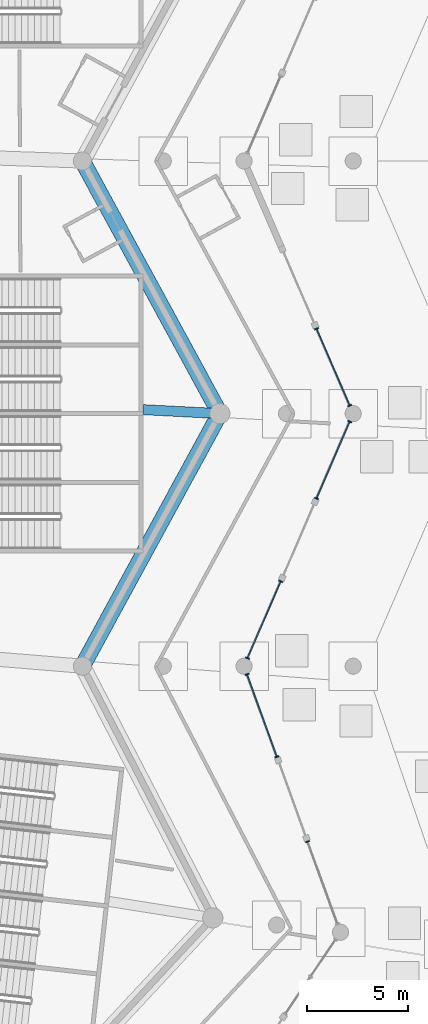
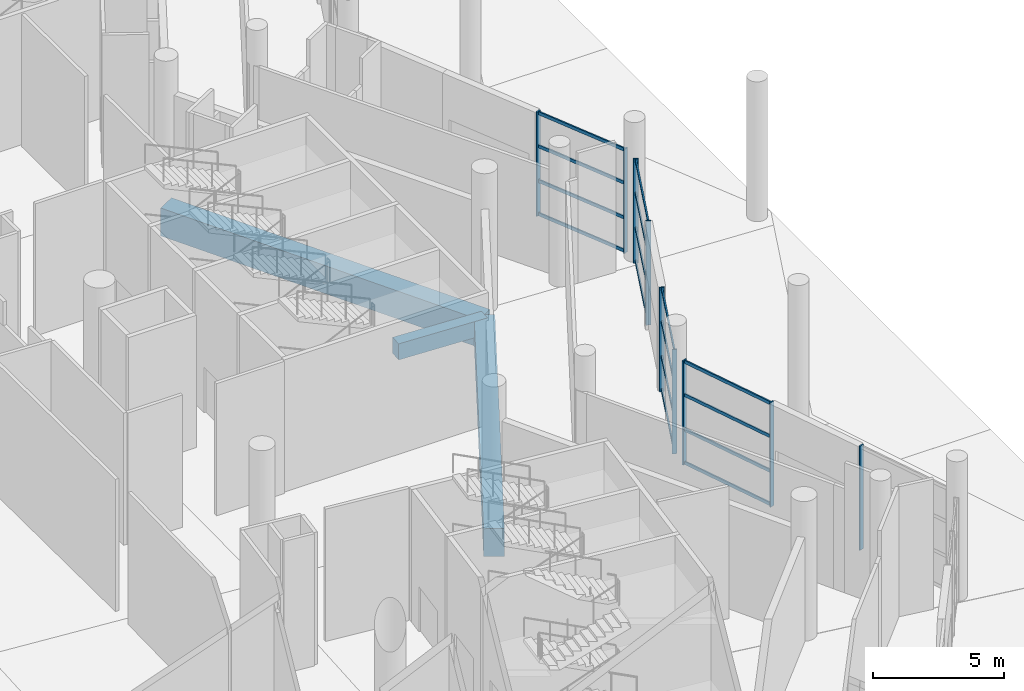
# One storey, part 39 of 255: 25 members, 3 beams, 5 elements without a shape of their own.
"""IFC4 building model written with IfcOpenShell, lengths in metres."""

from ifc_helpers import new_model, si_unit, direction, frame, origin, origin_2d, place, context, subcontext, project, spatial, rectangle, extrude, material, layer, layer_set, material_profile, profile_set, type_object, element, aggregate, save


model = new_model("IFC4")

# Units and contexts
model_context = context("Model", 3, precision=1e-05, world=origin(), true_north=direction((0.0, 1.0)))
body_context = subcontext(model_context, "Body", "Model", "MODEL_VIEW")
ifc_project = project(units=[si_unit("LENGTHUNIT", "METRE"), si_unit("AREAUNIT", "SQUARE_METRE"), si_unit("VOLUMEUNIT", "CUBIC_METRE"), si_unit("PLANEANGLEUNIT", "RADIAN"), si_unit("MASSUNIT", "GRAM", prefix="KILO")], contexts=[model_context])

# Site, building, storey
site_placement = place(None, origin())
site = spatial("IfcSite", under=ifc_project, at=site_placement, CompositionType="ELEMENT")
building_placement = place(site_placement, origin())
building = spatial("IfcBuilding", under=site, at=building_placement, Name="Meseta Stadium", CompositionType="ELEMENT")
storey_placement = place(building_placement, origin())
storey = spatial("IfcBuildingStorey", under=building, at=storey_placement, Name="L00", CompositionType="ELEMENT", Elevation=0.0)

# Beams
ifc_material_1 = material(Name="Concrete C40/50", Category="concrete")
ifc_material_profile_1 = material_profile(ifc_material_1, rectangle(XDim=0.5, YDim=0.75, at=origin_2d()), Name="RC 500x750")
ifc_profile_set_1 = profile_set([ifc_material_profile_1], Name="Concrete C40/50")
beam_type_1 = type_object("IfcBeamType", Name="RC beam 500x750", PredefinedType="BEAM", material=ifc_profile_set_1)
beam_placement = place(storey_placement, frame((97.60009765625, -31.0546875, -0.77490234375), z_axis=(0.998681597522, -0.05133290144, 0.0), x_axis=(0.05133290144, 0.998681597522, 0.0)))
element("IfcBeam", 1, at=beam_placement, inside=storey, type_object=beam_type_1, Name="L00 radial beam frame 2 line P to R", PredefinedType="BEAM", context=body_context, shape_type="SweptSolid", body=[
    extrude(rectangle(XDim=0.5, YDim=0.75, at=origin_2d()), origin(), (0.0, 0.0, 1.0), 3.804931640625),
])
ifc_material_2 = material(Name="Concrete C40/50", Category="concrete")
ifc_material_profile_2 = material_profile(ifc_material_2, rectangle(XDim=0.800048828125, YDim=1.300048828125, at=origin_2d()), Name="RC 800x1300")
ifc_profile_set_2 = profile_set([ifc_material_profile_2], Name="Concrete C40/50")
beam_type_2 = type_object("IfcBeamType", Name="RC beam 800x1300", PredefinedType="BEAM", material=ifc_profile_set_2)
for number, where, z_axis, x_axis, name in (
    (2, (94.60009765625, -43.75, -1.050048828125), (0.47785649891, 0.878437912689, 0.0), (-0.878437912689, 0.47785649891, 0.0), "L00 ring beam frame 1 line R"),
    (3, (101.39990234375, -31.25, -1.050048828125), (-0.47785649891, 0.878437912689, 0.0), (-0.878437912689, -0.47785649891, 0.0), "L00 ring beam frame 2 line R"),
):
    element("IfcBeam", number, at=place(storey_placement, frame(where, z_axis=z_axis, x_axis=x_axis)), inside=storey, type_object=beam_type_2, Name=name, PredefinedType="BEAM", context=body_context, shape_type="SweptSolid", body=[
        extrude(rectangle(XDim=0.800048828125, YDim=1.300048828125, at=origin_2d()), origin(), (0.0, 0.0, 1.0), 14.229736328125),
    ])

# Curtain wall, member
ifc_material_3 = material(Name="Aluminium", Category="aluminium")
ifc_layer = layer(ifc_material_3, 0.199951171875)
ifc_layer_set = layer_set([ifc_layer], Name="Ring shopfront curtain wall")
curtain_wall_type = type_object("IfcCurtainWallType", Name="Ring shopfront curtain wall", PredefinedType="NOTDEFINED", material=ifc_layer_set)
curtain_wall_1_placement = place(storey_placement, origin())
curtain_wall_1 = element("IfcCurtainWall", 4, at=curtain_wall_1_placement, inside=storey, type_object=curtain_wall_type, Name="Shopfront glazing F00a", PredefinedType="NOTDEFINED")
ifc_material_4 = material(Name="Aluminium", Category="aluminium")
ifc_material_profile_3 = material_profile(ifc_material_4, rectangle(XDim=0.199951171875, YDim=0.06005859375, at=origin_2d()), Name="CW 200x60")
ifc_profile_set_3 = profile_set([ifc_material_profile_3], Name="Aluminium")
member_type_1 = type_object("IfcMemberType", Name="Ring CW mullion 60x200", PredefinedType="MULLION", material=ifc_profile_set_3)
member_1_placement = place(storey_placement, frame((105.74609375, -52.428955078125, 0.0), z_axis=(0.0, 0.0, 1.0), x_axis=(-0.940135883188, -0.340799825619, 0.0)))
member_1 = element("IfcMember", 5, at=member_1_placement, type_object=member_type_1, Name="CWR1 mullion 2", PredefinedType="MULLION", context=body_context, shape_type="SweptSolid", body=[
    extrude(rectangle(XDim=0.199951171875, YDim=0.06005859375, at=origin_2d()), origin(), (0.0, 0.0, 1.0), 4.85009765625),
])
aggregate(curtain_wall_1, [member_1])

# Curtain wall, members
curtain_wall_2_placement = place(storey_placement, origin())
curtain_wall_2 = element("IfcCurtainWall", 6, at=curtain_wall_2_placement, inside=storey, type_object=curtain_wall_type, Name="Shopfront glazing F00b", PredefinedType="NOTDEFINED")
member_2_placement = place(storey_placement, frame((104.22607421875, -48.236083984375, 0.0), z_axis=(0.0, 0.0, 1.0), x_axis=(-0.940133244479, -0.340807104716, 0.0)))
member_2 = element("IfcMember", 7, at=member_2_placement, type_object=member_type_1, Name="CWR1 mullion 1", PredefinedType="MULLION", context=body_context, shape_type="SweptSolid", body=[
    extrude(rectangle(XDim=0.199951171875, YDim=0.06005859375, at=origin_2d()), origin(), (0.0, 0.0, 1.0), 4.85009765625),
])
member_3_placement = place(storey_placement, frame((102.74658203125, -44.154296875, 0.0), z_axis=(0.0, 0.0, 1.0), x_axis=(-0.940133244479, -0.340807104716, 0.0)))
member_3 = element("IfcMember", 8, at=member_3_placement, type_object=member_type_1, Name="CWR1 mullion 2", PredefinedType="MULLION", context=body_context, shape_type="SweptSolid", body=[
    extrude(rectangle(XDim=0.199951171875, YDim=0.06005859375, at=origin_2d()), origin(), (0.0, 0.0, 1.0), 4.85009765625),
])

curtain_wall_3_placement = place(storey_placement, origin())
curtain_wall_3 = element("IfcCurtainWall", 9, at=curtain_wall_3_placement, inside=storey, type_object=curtain_wall_type, Name="Shopfront glazing F01a", PredefinedType="NOTDEFINED")
member_4_placement = place(storey_placement, frame((102.7705078125, -43.355224609375, 0.0), z_axis=(0.0, 0.0, 1.0), x_axis=(-0.918001803218, 0.396576208678, 0.0)))
member_4 = element("IfcMember", 10, at=member_4_placement, type_object=member_type_1, Name="CWR1 mullion 1", PredefinedType="MULLION", context=body_context, shape_type="SweptSolid", body=[
    extrude(rectangle(XDim=0.199951171875, YDim=0.06005859375, at=origin_2d()), origin(), (0.0, 0.0, 1.0), 4.85009765625),
])
member_5_placement = place(storey_placement, frame((104.41552734375, -39.547119140625, 0.0), z_axis=(0.0, 0.0, 1.0), x_axis=(-0.918001803218, 0.396576208678, 0.0)))
member_5 = element("IfcMember", 11, at=member_5_placement, type_object=member_type_1, Name="CWR1 mullion 2", PredefinedType="MULLION", context=body_context, shape_type="SweptSolid", body=[
    extrude(rectangle(XDim=0.199951171875, YDim=0.06005859375, at=origin_2d()), origin(), (0.0, 0.0, 1.0), 4.85009765625),
])

curtain_wall_4_placement = place(storey_placement, origin())
curtain_wall_4 = element("IfcCurtainWall", 12, at=curtain_wall_4_placement, inside=storey, type_object=curtain_wall_type, Name="Shopfront glazing F01b", PredefinedType="NOTDEFINED")
member_6_placement = place(storey_placement, frame((106.184326171875, -35.452880859375, 0.0), z_axis=(0.0, 0.0, 1.0), x_axis=(-0.918001803218, 0.396576208678, 0.0)))
member_6 = element("IfcMember", 13, at=member_6_placement, type_object=member_type_1, Name="CWR1 mullion 1", PredefinedType="MULLION", context=body_context, shape_type="SweptSolid", body=[
    extrude(rectangle(XDim=0.199951171875, YDim=0.06005859375, at=origin_2d()), origin(), (0.0, 0.0, 1.0), 4.85009765625),
])
member_7_placement = place(storey_placement, frame((107.82958984375, -31.644775390625, 0.0), z_axis=(0.0, 0.0, 1.0), x_axis=(-0.918001803218, 0.396576208678, 0.0)))
member_7 = element("IfcMember", 14, at=member_7_placement, type_object=member_type_1, Name="CWR1 mullion 2", PredefinedType="MULLION", context=body_context, shape_type="SweptSolid", body=[
    extrude(rectangle(XDim=0.199951171875, YDim=0.06005859375, at=origin_2d()), origin(), (0.0, 0.0, 1.0), 4.85009765625),
])

curtain_wall_5_placement = place(storey_placement, origin())
curtain_wall_5 = element("IfcCurtainWall", 15, at=curtain_wall_5_placement, inside=storey, type_object=curtain_wall_type, Name="Shopfront glazing F02a", PredefinedType="NOTDEFINED")
member_8_placement = place(storey_placement, frame((107.82958984375, -30.855224609375, 0.0), z_axis=(0.0, 0.0, 1.0), x_axis=(-0.918001803218, -0.396576208678, 0.0)))
member_8 = element("IfcMember", 16, at=member_8_placement, type_object=member_type_1, Name="CWR1 mullion 1", PredefinedType="MULLION", context=body_context, shape_type="SweptSolid", body=[
    extrude(rectangle(XDim=0.199951171875, YDim=0.06005859375, at=origin_2d()), origin(), (0.0, 0.0, 1.0), 4.85009765625),
])
member_9_placement = place(storey_placement, frame((106.184326171875, -27.047119140625, 0.0), z_axis=(0.0, 0.0, 1.0), x_axis=(-0.918001803218, -0.396576208678, 0.0)))
member_9 = element("IfcMember", 17, at=member_9_placement, type_object=member_type_1, Name="CWR1 mullion 2", PredefinedType="MULLION", context=body_context, shape_type="SweptSolid", body=[
    extrude(rectangle(XDim=0.199951171875, YDim=0.06005859375, at=origin_2d()), origin(), (0.0, 0.0, 1.0), 4.85009765625),
])

# Member
ifc_material_5 = material(Name="Aluminium", Category="aluminium")
ifc_material_profile_4 = material_profile(ifc_material_5, rectangle(XDim=0.06005859375, YDim=0.14990234375, at=origin_2d()), Name="CW 60x150")
ifc_profile_set_4 = profile_set([ifc_material_profile_4], Name="Aluminium")
member_type_2 = type_object("IfcMemberType", Name="Ring CW transom 60x150", PredefinedType="USERDEFINED", material=ifc_profile_set_4)
member_10_placement = place(storey_placement, frame((104.216064453125, -48.207763671875, 0.074951171875), z_axis=(-0.340822633305, 0.940127615075, 0.0), x_axis=(-0.940127615075, -0.340822633305, 0.0)))
member_10 = element("IfcMember", 18, at=member_10_placement, type_object=member_type_2, Name="CWR1 transom 1.1", ObjectType="TRANSOM", PredefinedType="USERDEFINED", context=body_context, shape_type="SweptSolid", body=[
    extrude(rectangle(XDim=0.06005859375, YDim=0.14990234375, at=origin_2d()), origin(), (0.0, 0.0, 1.0), 4.281494140625),
])

member_11_placement = place(storey_placement, frame((104.216064453125, -48.207763671875, 1.61669921875), z_axis=(-0.340822633305, 0.940127615075, 0.0), x_axis=(-0.940127615075, -0.340822633305, 0.0)))
member_11 = element("IfcMember", 19, at=member_11_placement, type_object=member_type_2, Name="CWR1 transom 1.2", ObjectType="TRANSOM", PredefinedType="USERDEFINED", context=body_context, shape_type="SweptSolid", body=[
    extrude(rectangle(XDim=0.06005859375, YDim=0.14990234375, at=origin_2d()), origin(), (0.0, 0.0, 1.0), 4.281494140625),
])

member_12_placement = place(storey_placement, frame((104.216064453125, -48.207763671875, 3.2333984375), z_axis=(-0.340822633305, 0.940127615075, 0.0), x_axis=(-0.940127615075, -0.340822633305, 0.0)))
member_12 = element("IfcMember", 20, at=member_12_placement, type_object=member_type_2, Name="CWR1 transom 1.3", ObjectType="TRANSOM", PredefinedType="USERDEFINED", context=body_context, shape_type="SweptSolid", body=[
    extrude(rectangle(XDim=0.06005859375, YDim=0.14990234375, at=origin_2d()), origin(), (0.0, 0.0, 1.0), 4.281494140625),
])

member_13_placement = place(storey_placement, frame((104.216064453125, -48.207763671875, 4.77490234375), z_axis=(-0.340822633305, 0.940127615075, 0.0), x_axis=(-0.940127615075, -0.340822633305, 0.0)))
member_13 = element("IfcMember", 21, at=member_13_placement, type_object=member_type_2, Name="CWR1 transom 1.4", ObjectType="TRANSOM", PredefinedType="USERDEFINED", context=body_context, shape_type="SweptSolid", body=[
    extrude(rectangle(XDim=0.06005859375, YDim=0.14990234375, at=origin_2d()), origin(), (0.0, 0.0, 1.0), 4.281494140625),
])

aggregate(curtain_wall_2, [member_2, member_3, member_10, member_11, member_12, member_13])

member_14_placement = place(storey_placement, frame((102.782470703125, -43.32763671875, 0.074951171875), z_axis=(0.396591585893, 0.917995160118, 0.0), x_axis=(-0.917995160118, 0.396591585893, 0.0)))
member_14 = element("IfcMember", 22, at=member_14_placement, type_object=member_type_2, Name="CWR1 transom 1.1", ObjectType="TRANSOM", PredefinedType="USERDEFINED", context=body_context, shape_type="SweptSolid", body=[
    extrude(rectangle(XDim=0.06005859375, YDim=0.14990234375, at=origin_2d()), origin(), (0.0, 0.0, 1.0), 4.088134765625),
])

member_15_placement = place(storey_placement, frame((102.782470703125, -43.32763671875, 1.61669921875), z_axis=(0.396591585893, 0.917995160118, 0.0), x_axis=(-0.917995160118, 0.396591585893, 0.0)))
member_15 = element("IfcMember", 23, at=member_15_placement, type_object=member_type_2, Name="CWR1 transom 1.2", ObjectType="TRANSOM", PredefinedType="USERDEFINED", context=body_context, shape_type="SweptSolid", body=[
    extrude(rectangle(XDim=0.06005859375, YDim=0.14990234375, at=origin_2d()), origin(), (0.0, 0.0, 1.0), 4.088134765625),
])

member_16_placement = place(storey_placement, frame((102.782470703125, -43.32763671875, 3.2333984375), z_axis=(0.396591585893, 0.917995160118, 0.0), x_axis=(-0.917995160118, 0.396591585893, 0.0)))
member_16 = element("IfcMember", 24, at=member_16_placement, type_object=member_type_2, Name="CWR1 transom 1.3", ObjectType="TRANSOM", PredefinedType="USERDEFINED", context=body_context, shape_type="SweptSolid", body=[
    extrude(rectangle(XDim=0.06005859375, YDim=0.14990234375, at=origin_2d()), origin(), (0.0, 0.0, 1.0), 4.088134765625),
])

member_17_placement = place(storey_placement, frame((102.782470703125, -43.32763671875, 4.77490234375), z_axis=(0.396591585893, 0.917995160118, 0.0), x_axis=(-0.917995160118, 0.396591585893, 0.0)))
member_17 = element("IfcMember", 25, at=member_17_placement, type_object=member_type_2, Name="CWR1 transom 1.4", ObjectType="TRANSOM", PredefinedType="USERDEFINED", context=body_context, shape_type="SweptSolid", body=[
    extrude(rectangle(XDim=0.06005859375, YDim=0.14990234375, at=origin_2d()), origin(), (0.0, 0.0, 1.0), 4.088134765625),
])

aggregate(curtain_wall_3, [member_4, member_5, member_14, member_15, member_16, member_17])

member_18_placement = place(storey_placement, frame((106.1962890625, -35.42529296875, 0.074951171875), z_axis=(0.396591585893, 0.917995160118, 0.0), x_axis=(-0.917995160118, 0.396591585893, 0.0)))
member_18 = element("IfcMember", 26, at=member_18_placement, type_object=member_type_2, Name="CWR1 transom 1.1", ObjectType="TRANSOM", PredefinedType="USERDEFINED", context=body_context, shape_type="SweptSolid", body=[
    extrude(rectangle(XDim=0.06005859375, YDim=0.14990234375, at=origin_2d()), origin(), (0.0, 0.0, 1.0), 4.088134765625),
])

member_19_placement = place(storey_placement, frame((106.1962890625, -35.42529296875, 1.61669921875), z_axis=(0.396591585893, 0.917995160118, 0.0), x_axis=(-0.917995160118, 0.396591585893, 0.0)))
member_19 = element("IfcMember", 27, at=member_19_placement, type_object=member_type_2, Name="CWR1 transom 1.2", ObjectType="TRANSOM", PredefinedType="USERDEFINED", context=body_context, shape_type="SweptSolid", body=[
    extrude(rectangle(XDim=0.06005859375, YDim=0.14990234375, at=origin_2d()), origin(), (0.0, 0.0, 1.0), 4.088134765625),
])

member_20_placement = place(storey_placement, frame((106.1962890625, -35.42529296875, 3.2333984375), z_axis=(0.396591585893, 0.917995160118, 0.0), x_axis=(-0.917995160118, 0.396591585893, 0.0)))
member_20 = element("IfcMember", 28, at=member_20_placement, type_object=member_type_2, Name="CWR1 transom 1.3", ObjectType="TRANSOM", PredefinedType="USERDEFINED", context=body_context, shape_type="SweptSolid", body=[
    extrude(rectangle(XDim=0.06005859375, YDim=0.14990234375, at=origin_2d()), origin(), (0.0, 0.0, 1.0), 4.088134765625),
])

member_21_placement = place(storey_placement, frame((106.1962890625, -35.42529296875, 4.77490234375), z_axis=(0.396591585893, 0.917995160118, 0.0), x_axis=(-0.917995160118, 0.396591585893, 0.0)))
member_21 = element("IfcMember", 29, at=member_21_placement, type_object=member_type_2, Name="CWR1 transom 1.4", ObjectType="TRANSOM", PredefinedType="USERDEFINED", context=body_context, shape_type="SweptSolid", body=[
    extrude(rectangle(XDim=0.06005859375, YDim=0.14990234375, at=origin_2d()), origin(), (0.0, 0.0, 1.0), 4.088134765625),
])

aggregate(curtain_wall_4, [member_6, member_7, member_18, member_19, member_20, member_21])

member_22_placement = place(storey_placement, frame((107.817626953125, -30.82763671875, 0.074951171875), z_axis=(-0.396591585893, 0.917995160118, 0.0), x_axis=(-0.917995160118, -0.396591585893, 0.0)))
member_22 = element("IfcMember", 30, at=member_22_placement, type_object=member_type_2, Name="CWR1 transom 1.1", ObjectType="TRANSOM", PredefinedType="USERDEFINED", context=body_context, shape_type="SweptSolid", body=[
    extrude(rectangle(XDim=0.06005859375, YDim=0.14990234375, at=origin_2d()), origin(), (0.0, 0.0, 1.0), 4.088134765625),
])

member_23_placement = place(storey_placement, frame((107.817626953125, -30.82763671875, 1.61669921875), z_axis=(-0.396591585893, 0.917995160118, 0.0), x_axis=(-0.917995160118, -0.396591585893, 0.0)))
member_23 = element("IfcMember", 31, at=member_23_placement, type_object=member_type_2, Name="CWR1 transom 1.2", ObjectType="TRANSOM", PredefinedType="USERDEFINED", context=body_context, shape_type="SweptSolid", body=[
    extrude(rectangle(XDim=0.06005859375, YDim=0.14990234375, at=origin_2d()), origin(), (0.0, 0.0, 1.0), 4.088134765625),
])

member_24_placement = place(storey_placement, frame((107.817626953125, -30.82763671875, 3.2333984375), z_axis=(-0.396591585893, 0.917995160118, 0.0), x_axis=(-0.917995160118, -0.396591585893, 0.0)))
member_24 = element("IfcMember", 32, at=member_24_placement, type_object=member_type_2, Name="CWR1 transom 1.3", ObjectType="TRANSOM", PredefinedType="USERDEFINED", context=body_context, shape_type="SweptSolid", body=[
    extrude(rectangle(XDim=0.06005859375, YDim=0.14990234375, at=origin_2d()), origin(), (0.0, 0.0, 1.0), 4.088134765625),
])

member_25_placement = place(storey_placement, frame((107.817626953125, -30.82763671875, 4.77490234375), z_axis=(-0.396591585893, 0.917995160118, 0.0), x_axis=(-0.917995160118, -0.396591585893, 0.0)))
member_25 = element("IfcMember", 33, at=member_25_placement, type_object=member_type_2, Name="CWR1 transom 1.4", ObjectType="TRANSOM", PredefinedType="USERDEFINED", context=body_context, shape_type="SweptSolid", body=[
    extrude(rectangle(XDim=0.06005859375, YDim=0.14990234375, at=origin_2d()), origin(), (0.0, 0.0, 1.0), 4.088134765625),
])

aggregate(curtain_wall_5, [member_8, member_9, member_22, member_23, member_24, member_25])

save(model, "model.ifc")
